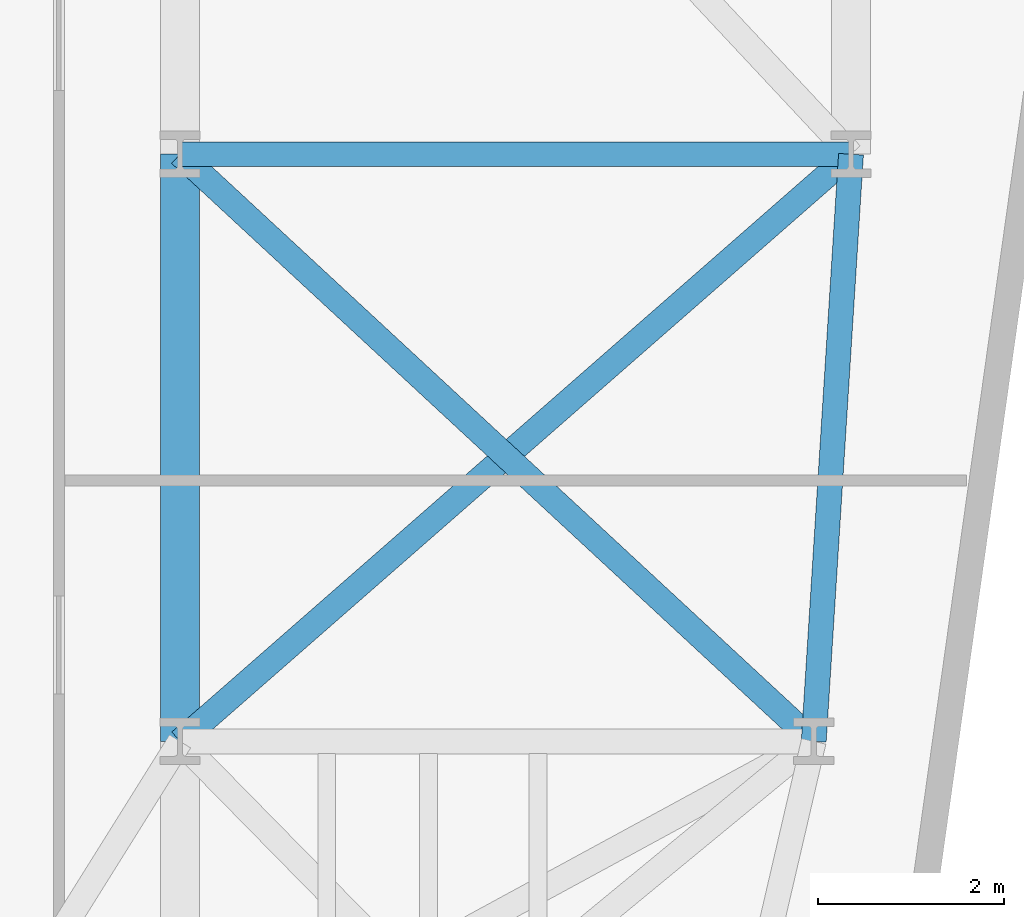
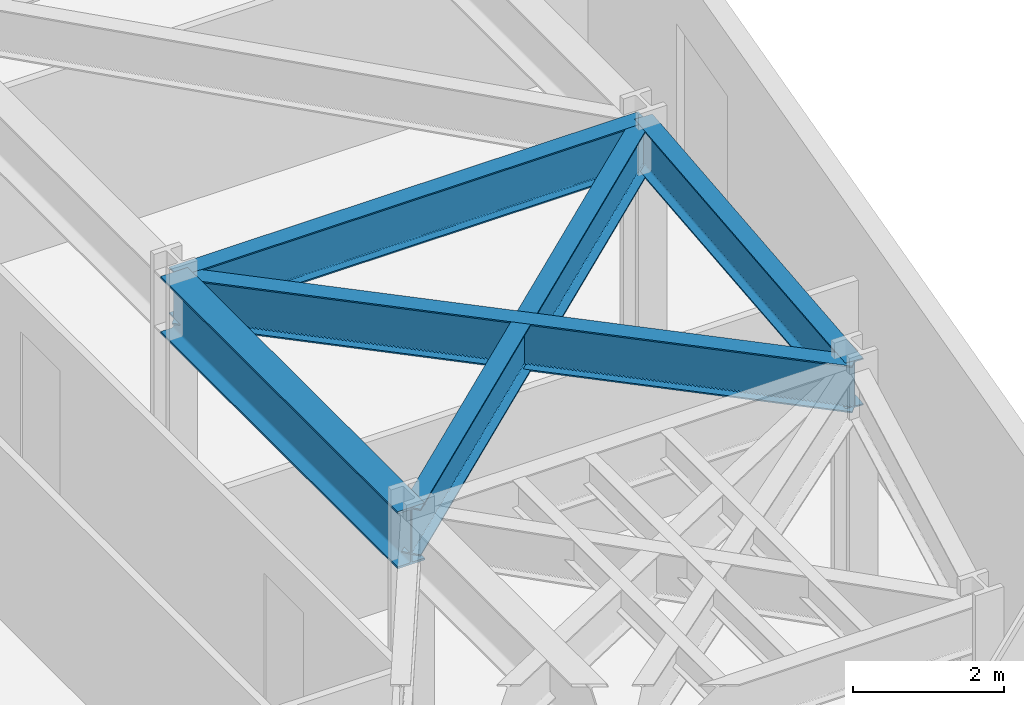
# One storey, part 14 of 24: 5 beams.
"""IFC4 building model written with IfcOpenShell, lengths in metres."""

from ifc_helpers import new_model, si_unit, direction, frame, origin, origin_2d, place, context, subcontext, project, spatial, i_section, extrude, material, material_profile, profile_set, type_object, element, save


model = new_model("IFC4")

# Units and contexts
model_context = context("Model", 3, precision=1e-05, world=origin(), true_north=direction((0.0, 1.0)))
body_context = subcontext(model_context, "Body", "Model", "MODEL_VIEW")
ifc_project = project(units=[si_unit("LENGTHUNIT", "METRE"), si_unit("AREAUNIT", "SQUARE_METRE"), si_unit("VOLUMEUNIT", "CUBIC_METRE"), si_unit("PLANEANGLEUNIT", "RADIAN"), si_unit("MASSUNIT", "GRAM", prefix="KILO")], contexts=[model_context])

# Site, building, storey
site_placement = place(None, origin())
site = spatial("IfcSite", under=ifc_project, at=site_placement, CompositionType="ELEMENT")
building_placement = place(site_placement, origin())
building = spatial("IfcBuilding", under=site, at=building_placement, Name="Kravanh Interchange Tower", CompositionType="ELEMENT")
storey_placement = place(building_placement, frame((0.0, 0.0, 77.5)))
storey = spatial("IfcBuildingStorey", under=building, at=storey_placement, Name="L18", CompositionType="ELEMENT", Elevation=77.5)

# Beams
ifc_material_1 = material(Name="Structural Steel S355", Category="steel")
ifc_material_profile_1 = material_profile(ifc_material_1, i_section(OverallWidth=0.41796875, OverallDepth=0.927001953125, WebThickness=0.019287109375, FlangeThickness=0.031982421875, FilletRadius=0.028076171875, at=origin_2d()), Name="W36X231")
ifc_profile_set_1 = profile_set([ifc_material_profile_1], Name="Structural Steel S355")
beam_type_1 = type_object("IfcBeamType", Name="Floor Beam W36X231 Structural Steel S355", PredefinedType="BEAM", material=ifc_profile_set_1)
beam_1_placement = place(storey_placement, frame((56.0, 14.5, 3.276611328125), z_axis=(0.0, -1.0, 0.0), x_axis=(1.0, 0.0, 0.0)))
element("IfcBeam", 1, at=beam_1_placement, inside=storey, type_object=beam_type_1, Name="L18 Primary Floor Girder 42", PredefinedType="BEAM", context=body_context, shape_type="SweptSolid", body=[
    extrude(i_section(OverallWidth=0.41796875, OverallDepth=0.927001953125, WebThickness=0.019287109375, FlangeThickness=0.031982421875, FilletRadius=0.028076171875, at=origin_2d()), origin(), (0.0, 0.0, 1.0), 6.300048828125),
])
ifc_material_2 = material(Name="Structural Steel S355", Category="steel")
ifc_material_profile_2 = material_profile(ifc_material_2, i_section(OverallWidth=0.26708984375, OverallDepth=0.761962890625, WebThickness=0.014404296875, FlangeThickness=0.021484375, FilletRadius=0.02490234375, at=origin_2d()), Name="W30X116")
ifc_profile_set_2 = profile_set([ifc_material_profile_2], Name="Structural Steel S355")
beam_type_2 = type_object("IfcBeamType", Name="Floor Spandrel W30X116 Structural Steel S355", PredefinedType="SPANDREL", material=ifc_profile_set_2)
beam_2_placement = place(storey_placement, frame((56.0, 14.5, 3.35888671875), z_axis=(1.0, 0.0, 0.0), x_axis=(0.0, 1.0, 0.0)))
element("IfcBeam", 2, at=beam_2_placement, inside=storey, type_object=beam_type_2, Name="L18 Perimeter Spandrel 43", PredefinedType="SPANDREL", context=body_context, shape_type="SweptSolid", body=[
    extrude(i_section(OverallWidth=0.26708984375, OverallDepth=0.761962890625, WebThickness=0.014404296875, FlangeThickness=0.021484375, FilletRadius=0.02490234375, at=origin_2d()), origin(), (0.0, 0.0, 1.0), 7.199951171875),
])
beam_3_placement = place(storey_placement, frame((56.0, 14.5, 3.35888671875), z_axis=(0.733561267923, -0.679623326706, 0.0), x_axis=(0.679623326706, 0.733561267923, 0.0)))
element("IfcBeam", 3, at=beam_3_placement, inside=storey, type_object=beam_type_2, Name="L18 Perimeter Spandrel 45", PredefinedType="SPANDREL", context=body_context, shape_type="SweptSolid", body=[
    extrude(i_section(OverallWidth=0.26708984375, OverallDepth=0.761962890625, WebThickness=0.014404296875, FlangeThickness=0.021484375, FilletRadius=0.02490234375, at=origin_2d()), origin(), (0.0, 0.0, 1.0), 9.27001953125),
])
beam_4_placement = place(storey_placement, frame((63.199951171875, 14.5, 3.35888671875), z_axis=(-0.063348576418, -0.99799146182, 0.0), x_axis=(0.99799146182, -0.063348576418, 0.0)))
element("IfcBeam", 4, at=beam_4_placement, inside=storey, type_object=beam_type_2, Name="L18 Perimeter Spandrel 46", PredefinedType="SPANDREL", context=body_context, shape_type="SweptSolid", body=[
    extrude(i_section(OverallWidth=0.26708984375, OverallDepth=0.761962890625, WebThickness=0.014404296875, FlangeThickness=0.021484375, FilletRadius=0.02490234375, at=origin_2d()), origin(), (0.0, 0.0, 1.0), 6.312744140625),
])
beam_5_placement = place(storey_placement, frame((63.199951171875, 14.5, 3.35888671875), z_axis=(-0.752571952274, -0.658510027752, 0.0), x_axis=(0.658510027752, -0.752571952274, 0.0)))
element("IfcBeam", 5, at=beam_5_placement, inside=storey, type_object=beam_type_2, Name="L18 Perimeter Spandrel 48", PredefinedType="SPANDREL", context=body_context, shape_type="SweptSolid", body=[
    extrude(i_section(OverallWidth=0.26708984375, OverallDepth=0.761962890625, WebThickness=0.014404296875, FlangeThickness=0.021484375, FilletRadius=0.02490234375, at=origin_2d()), origin(), (0.0, 0.0, 1.0), 9.567138671875),
])

save(model, "model.ifc")
